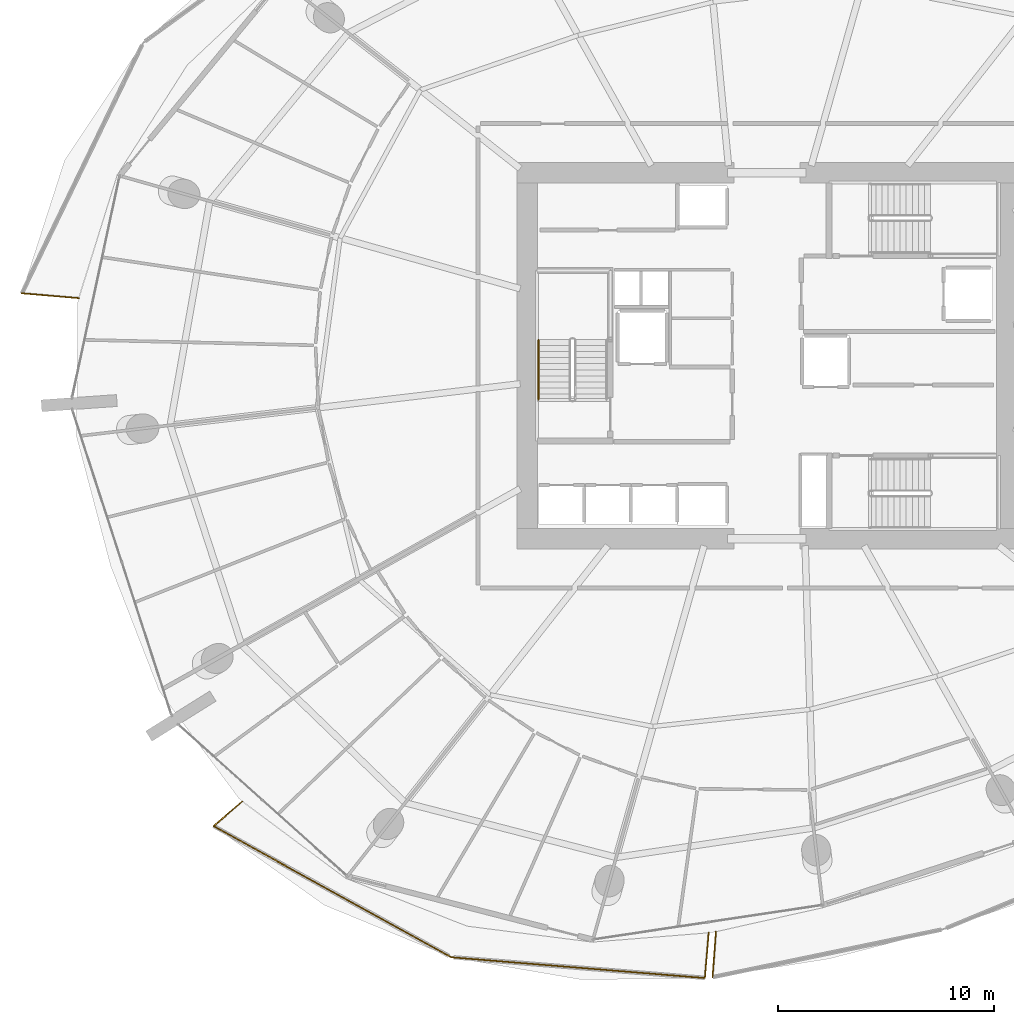
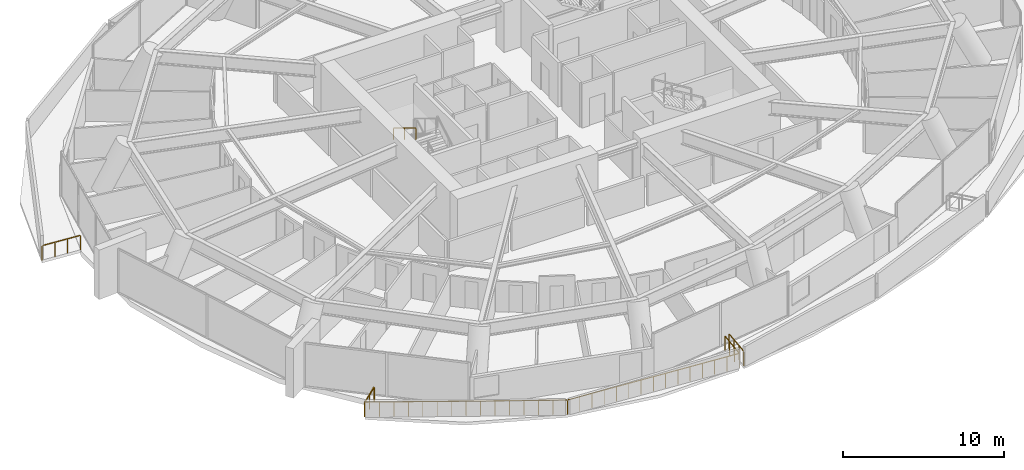
# One storey, part 25 of 31: 7 railings.
"""IFC4 building model written with IfcOpenShell, lengths in metres."""

from ifc_helpers import new_model, si_unit, direction, frame, origin, origin_2d, place, context, subcontext, project, spatial, rectangle, extrude, material, type_object, element, save


model = new_model("IFC4")

# Units and contexts
model_context = context("Model", 3, precision=1e-05, world=origin(), true_north=direction((0.0, 1.0)))
body_context = subcontext(model_context, "Body", "Model", "MODEL_VIEW")
ifc_project = project(units=[si_unit("LENGTHUNIT", "METRE"), si_unit("AREAUNIT", "SQUARE_METRE"), si_unit("VOLUMEUNIT", "CUBIC_METRE"), si_unit("PLANEANGLEUNIT", "RADIAN"), si_unit("MASSUNIT", "GRAM", prefix="KILO")], contexts=[model_context])

# Site, building, storey
site_placement = place(None, origin())
site = spatial("IfcSite", under=ifc_project, at=site_placement, CompositionType="ELEMENT")
building_placement = place(site_placement, origin())
building = spatial("IfcBuilding", under=site, at=building_placement, Name="Kazma Halo Residences", CompositionType="ELEMENT")
storey_placement = place(building_placement, frame((0.0, 0.0, 71.39990234375)))
storey = spatial("IfcBuildingStorey", under=building, at=storey_placement, Name="L17", CompositionType="ELEMENT", Elevation=71.39990234375)

# Railings
ifc_material_1 = material(Name="Aluminium AW-6063 T6 Brushed Cap Rail", Category="aluminium")
railing_type_1 = type_object("IfcRailingType", Name="RLG-BAL-CAP-1120", PredefinedType="BALUSTRADE", material=ifc_material_1)
railing_1_placement = place(storey_placement, frame((13.9169921875, 44.89208984375, 0.0)))
element("IfcRailing", 1, at=railing_1_placement, inside=storey, type_object=railing_type_1, Name="L17 NW wave balcony guard 4", PredefinedType="BALUSTRADE", context=body_context, shape_type="SweptSolid", body=[
    extrude(rectangle(XDim=0.050048828125, YDim=0.050048828125, at=origin_2d()), frame((0.04248046875, -0.003662109375, 1.09521484375), z_axis=(0.996418413409, -0.084559715106, 0.0), x_axis=(0.084559715106, 0.996418413409, 0.0)), (0.0, 0.0, 1.0), 2.556640625),
    extrude(rectangle(XDim=0.0400390625, YDim=0.0400390625, at=origin_2d()), origin(), (0.0, 0.0, 1.0), 1.05810546875),
    extrude(rectangle(XDim=0.0400390625, YDim=0.0400390625, at=origin_2d()), frame((0.87744140625, -0.074462890625, 0.0)), (0.0, 0.0, 1.0), 1.05810546875),
    extrude(rectangle(XDim=0.0400390625, YDim=0.0400390625, at=origin_2d()), frame((1.7548828125, -0.14892578125, 0.0)), (0.0, 0.0, 1.0), 1.05810546875),
    extrude(rectangle(XDim=0.0400390625, YDim=0.0400390625, at=origin_2d()), frame((2.63232421875, -0.223388671875, 0.0)), (0.0, 0.0, 1.0), 1.05810546875),
])
railing_2_placement = place(storey_placement, frame((24.124267578125, 21.354736328125, 0.0)))
element("IfcRailing", 2, at=railing_2_placement, inside=storey, type_object=railing_type_1, Name="L17 SW wave balcony guard 1", PredefinedType="BALUSTRADE", context=body_context, shape_type="SweptSolid", body=[
    extrude(rectangle(XDim=0.050048828125, YDim=0.050048828125, at=origin_2d()), frame((-0.0322265625, -0.02783203125, 1.09521484375), z_axis=(-0.75645845376, -0.6540417477, 0.0), x_axis=(0.6540417477, -0.75645845376, 0.0)), (0.0, 0.0, 1.0), 1.662353515625),
    extrude(rectangle(XDim=0.0400390625, YDim=0.0400390625, at=origin_2d()), origin(), (0.0, 0.0, 1.0), 1.05810546875),
    extrude(rectangle(XDim=0.0400390625, YDim=0.0400390625, at=origin_2d()), frame((-0.660888671875, -0.5712890625, 0.0)), (0.0, 0.0, 1.0), 1.05810546875),
    extrude(rectangle(XDim=0.0400390625, YDim=0.0400390625, at=origin_2d()), frame((-1.32177734375, -1.142822265625, 0.0)), (0.0, 0.0, 1.0), 1.05810546875),
])
railing_3_placement = place(storey_placement, frame((22.802490234375, 20.2119140625, 0.0)))
element("IfcRailing", 3, at=railing_3_placement, inside=storey, type_object=railing_type_1, Name="L17 SW wave balcony guard 2", PredefinedType="BALUSTRADE", context=body_context, shape_type="SweptSolid", body=[
    extrude(rectangle(XDim=0.050048828125, YDim=0.050048828125, at=origin_2d()), frame((0.037353515625, -0.0205078125, 1.09521484375), z_axis=(0.87546091384, -0.483288928425, 0.0), x_axis=(0.483288928425, 0.87546091384, 0.0)), (0.0, 0.0, 1.0), 12.4814453125),
    extrude(rectangle(XDim=0.0400390625, YDim=0.0400390625, at=origin_2d()), origin(), (0.0, 0.0, 1.0), 1.05810546875),
    extrude(rectangle(XDim=0.0400390625, YDim=0.0400390625, at=origin_2d()), frame((0.785888671875, -0.433837890625, 0.0)), (0.0, 0.0, 1.0), 1.05810546875),
    extrude(rectangle(XDim=0.0400390625, YDim=0.0400390625, at=origin_2d()), frame((1.571533203125, -0.86767578125, 0.0)), (0.0, 0.0, 1.0), 1.05810546875),
    extrude(rectangle(XDim=0.0400390625, YDim=0.0400390625, at=origin_2d()), frame((2.357421875, -1.301513671875, 0.0)), (0.0, 0.0, 1.0), 1.05810546875),
    extrude(rectangle(XDim=0.0400390625, YDim=0.0400390625, at=origin_2d()), frame((3.143310546875, -1.735107421875, 0.0)), (0.0, 0.0, 1.0), 1.05810546875),
    extrude(rectangle(XDim=0.0400390625, YDim=0.0400390625, at=origin_2d()), frame((3.92919921875, -2.1689453125, 0.0)), (0.0, 0.0, 1.0), 1.05810546875),
    extrude(rectangle(XDim=0.0400390625, YDim=0.0400390625, at=origin_2d()), frame((4.71484375, -2.602783203125, 0.0)), (0.0, 0.0, 1.0), 1.05810546875),
    extrude(rectangle(XDim=0.0400390625, YDim=0.0400390625, at=origin_2d()), frame((5.500732421875, -3.03662109375, 0.0)), (0.0, 0.0, 1.0), 1.05810546875),
    extrude(rectangle(XDim=0.0400390625, YDim=0.0400390625, at=origin_2d()), frame((6.28662109375, -3.470458984375, 0.0)), (0.0, 0.0, 1.0), 1.05810546875),
    extrude(rectangle(XDim=0.0400390625, YDim=0.0400390625, at=origin_2d()), frame((7.072265625, -3.904296875, 0.0)), (0.0, 0.0, 1.0), 1.05810546875),
    extrude(rectangle(XDim=0.0400390625, YDim=0.0400390625, at=origin_2d()), frame((7.858154296875, -4.338134765625, 0.0)), (0.0, 0.0, 1.0), 1.05810546875),
    extrude(rectangle(XDim=0.0400390625, YDim=0.0400390625, at=origin_2d()), frame((8.64404296875, -4.771728515625, 0.0)), (0.0, 0.0, 1.0), 1.05810546875),
    extrude(rectangle(XDim=0.0400390625, YDim=0.0400390625, at=origin_2d()), frame((9.429931640625, -5.20556640625, 0.0)), (0.0, 0.0, 1.0), 1.05810546875),
    extrude(rectangle(XDim=0.0400390625, YDim=0.0400390625, at=origin_2d()), frame((10.215576171875, -5.639404296875, 0.0)), (0.0, 0.0, 1.0), 1.05810546875),
    extrude(rectangle(XDim=0.0400390625, YDim=0.0400390625, at=origin_2d()), frame((11.00146484375, -6.0732421875, 0.0)), (0.0, 0.0, 1.0), 1.05810546875),
])
railing_4_placement = place(storey_placement, frame((33.803955078125, 14.138671875, 0.0)))
element("IfcRailing", 4, at=railing_4_placement, inside=storey, type_object=railing_type_1, Name="L17 SW wave balcony guard 3", PredefinedType="BALUSTRADE", context=body_context, shape_type="SweptSolid", body=[
    extrude(rectangle(XDim=0.050048828125, YDim=0.050048828125, at=origin_2d()), frame((0.04248046875, -0.00341796875, 1.09521484375), z_axis=(0.996665946261, -0.081590388919, 0.0), x_axis=(0.081590388919, 0.996665946261, 0.0)), (0.0, 0.0, 1.0), 11.70458984375),
    extrude(rectangle(XDim=0.0400390625, YDim=0.0400390625, at=origin_2d()), origin(), (0.0, 0.0, 1.0), 1.05810546875),
    extrude(rectangle(XDim=0.0400390625, YDim=0.0400390625, at=origin_2d()), frame((0.83935546875, -0.068603515625, 0.0)), (0.0, 0.0, 1.0), 1.05810546875),
    extrude(rectangle(XDim=0.0400390625, YDim=0.0400390625, at=origin_2d()), frame((1.6787109375, -0.137451171875, 0.0)), (0.0, 0.0, 1.0), 1.05810546875),
    extrude(rectangle(XDim=0.0400390625, YDim=0.0400390625, at=origin_2d()), frame((2.517822265625, -0.2060546875, 0.0)), (0.0, 0.0, 1.0), 1.05810546875),
    extrude(rectangle(XDim=0.0400390625, YDim=0.0400390625, at=origin_2d()), frame((3.357177734375, -0.27490234375, 0.0)), (0.0, 0.0, 1.0), 1.05810546875),
    extrude(rectangle(XDim=0.0400390625, YDim=0.0400390625, at=origin_2d()), frame((4.196533203125, -0.343505859375, 0.0)), (0.0, 0.0, 1.0), 1.05810546875),
    extrude(rectangle(XDim=0.0400390625, YDim=0.0400390625, at=origin_2d()), frame((5.035888671875, -0.412353515625, 0.0)), (0.0, 0.0, 1.0), 1.05810546875),
    extrude(rectangle(XDim=0.0400390625, YDim=0.0400390625, at=origin_2d()), frame((5.875, -0.48095703125, 0.0)), (0.0, 0.0, 1.0), 1.05810546875),
    extrude(rectangle(XDim=0.0400390625, YDim=0.0400390625, at=origin_2d()), frame((6.71435546875, -0.549560546875, 0.0)), (0.0, 0.0, 1.0), 1.05810546875),
    extrude(rectangle(XDim=0.0400390625, YDim=0.0400390625, at=origin_2d()), frame((7.5537109375, -0.618408203125, 0.0)), (0.0, 0.0, 1.0), 1.05810546875),
    extrude(rectangle(XDim=0.0400390625, YDim=0.0400390625, at=origin_2d()), frame((8.39306640625, -0.68701171875, 0.0)), (0.0, 0.0, 1.0), 1.05810546875),
    extrude(rectangle(XDim=0.0400390625, YDim=0.0400390625, at=origin_2d()), frame((9.232421875, -0.755859375, 0.0)), (0.0, 0.0, 1.0), 1.05810546875),
    extrude(rectangle(XDim=0.0400390625, YDim=0.0400390625, at=origin_2d()), frame((10.071533203125, -0.824462890625, 0.0)), (0.0, 0.0, 1.0), 1.05810546875),
    extrude(rectangle(XDim=0.0400390625, YDim=0.0400390625, at=origin_2d()), frame((10.910888671875, -0.893310546875, 0.0)), (0.0, 0.0, 1.0), 1.05810546875),
    extrude(rectangle(XDim=0.0400390625, YDim=0.0400390625, at=origin_2d()), frame((11.750244140625, -0.9619140625, 0.0)), (0.0, 0.0, 1.0), 1.05810546875),
])
railing_5_placement = place(storey_placement, frame((45.55419921875, 13.1767578125, 0.0)))
element("IfcRailing", 5, at=railing_5_placement, inside=storey, type_object=railing_type_1, Name="L17 SW wave balcony guard 4", PredefinedType="BALUSTRADE", context=body_context, shape_type="SweptSolid", body=[
    extrude(rectangle(XDim=0.050048828125, YDim=0.050048828125, at=origin_2d()), frame((0.003662109375, 0.04248046875, 1.09521484375), z_axis=(0.084593645284, 0.996415533388, 0.0), x_axis=(-0.996415533388, 0.084593645284, 0.0)), (0.0, 0.0, 1.0), 2.015869140625),
    extrude(rectangle(XDim=0.0400390625, YDim=0.0400390625, at=origin_2d()), origin(), (0.0, 0.0, 1.0), 1.05810546875),
    extrude(rectangle(XDim=0.0400390625, YDim=0.0400390625, at=origin_2d()), frame((0.059326171875, 0.69775390625, 0.0)), (0.0, 0.0, 1.0), 1.05810546875),
    extrude(rectangle(XDim=0.0400390625, YDim=0.0400390625, at=origin_2d()), frame((0.118408203125, 1.395751953125, 0.0)), (0.0, 0.0, 1.0), 1.05810546875),
    extrude(rectangle(XDim=0.0400390625, YDim=0.0400390625, at=origin_2d()), frame((0.177734375, 2.093505859375, 0.0)), (0.0, 0.0, 1.0), 1.05810546875),
])
railing_6_placement = place(storey_placement, frame((46.064208984375, 15.320068359375, 0.0)))
element("IfcRailing", 6, at=railing_6_placement, inside=storey, type_object=railing_type_1, Name="L17 SSE wave balcony guard 1", PredefinedType="BALUSTRADE", context=body_context, shape_type="SweptSolid", body=[
    extrude(rectangle(XDim=0.050048828125, YDim=0.050048828125, at=origin_2d()), frame((-0.003173828125, -0.04248046875, 1.09521484375), z_axis=(-0.07237077641, -0.997377797388, 0.0), x_axis=(0.997377797388, -0.07237077641, 0.0)), (0.0, 0.0, 1.0), 2.030029296875),
    extrude(rectangle(XDim=0.0400390625, YDim=0.0400390625, at=origin_2d()), origin(), (0.0, 0.0, 1.0), 1.05810546875),
    extrude(rectangle(XDim=0.0400390625, YDim=0.0400390625, at=origin_2d()), frame((-0.051025390625, -0.703125, 0.0)), (0.0, 0.0, 1.0), 1.05810546875),
    extrude(rectangle(XDim=0.0400390625, YDim=0.0400390625, at=origin_2d()), frame((-0.10205078125, -1.406494140625, 0.0)), (0.0, 0.0, 1.0), 1.05810546875),
    extrude(rectangle(XDim=0.0400390625, YDim=0.0400390625, at=origin_2d()), frame((-0.153076171875, -2.109619140625, 0.0)), (0.0, 0.0, 1.0), 1.05810546875),
])
ifc_material_2 = material(Name="Brushed Stainless Steel", Category="steel")
railing_type_2 = type_object("IfcRailingType", Name="RLG-STAIR-HND-900", PredefinedType="HANDRAIL", material=ifc_material_2)
railing_7_placement = place(storey_placement, frame((37.85009765625, 42.75, 2.045654296875)))
element("IfcRailing", 7, at=railing_7_placement, inside=storey, type_object=railing_type_2, Name="L17 ST-01 stair handrail 2", PredefinedType="HANDRAIL", context=body_context, shape_type="SweptSolid", body=[
    extrude(rectangle(XDim=0.050048828125, YDim=0.050048828125, at=origin_2d()), frame((0.0, -0.036376953125, 0.89697265625), z_axis=(0.0, -0.854202870247, 0.519939858505), x_axis=(1.0, 0.0, 0.0)), (0.0, 0.0, 1.0), 3.19287109375),
    extrude(rectangle(XDim=0.0400390625, YDim=0.0400390625, at=origin_2d()), origin(), (0.0, 0.0, 1.0), 0.837890625),
    extrude(rectangle(XDim=0.0400390625, YDim=0.0400390625, at=origin_2d()), frame((0.0, -1.39990234375, 0.85205078125)), (0.0, 0.0, 1.0), 0.837890625),
    extrude(rectangle(XDim=0.0400390625, YDim=0.0400390625, at=origin_2d()), frame((0.0, -2.800048828125, 1.704345703125)), (0.0, 0.0, 1.0), 0.837890625),
])

save(model, "model.ifc")
